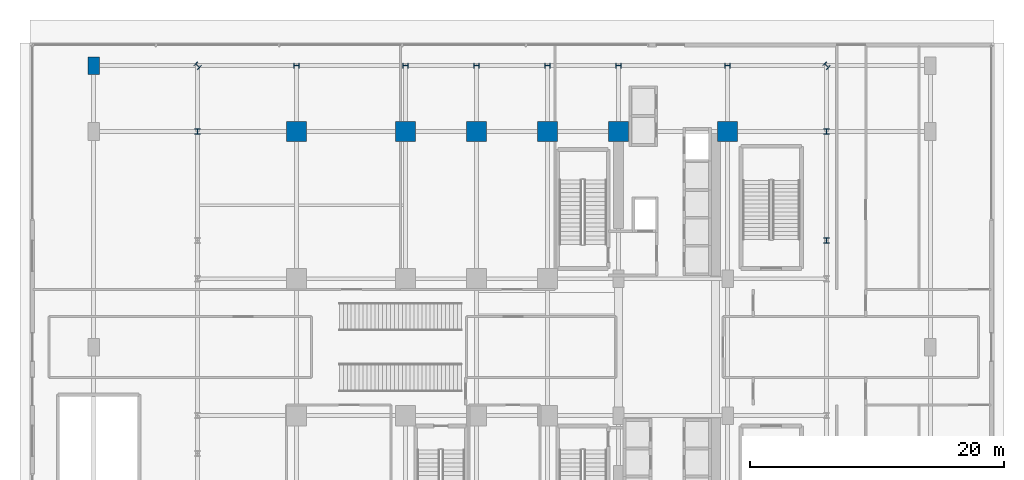
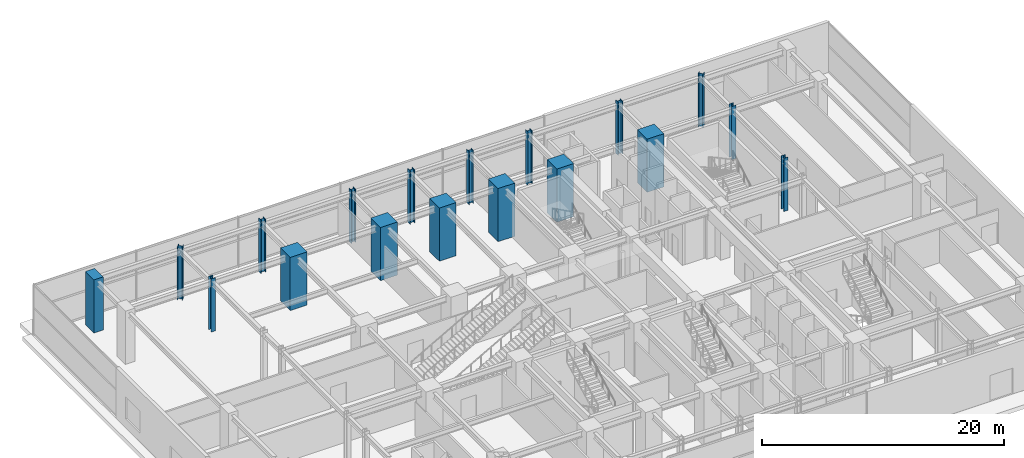
# One storey, part 2 of 29: 18 columns.
"""IFC4 building model written with IfcOpenShell, lengths in metres."""

import ifcopenshell
import ifcopenshell.guid

model = None  # the IFC model being written
_history = None  # IfcOwnerHistory: only IFC2X3 demands one
_inside = {}  # id of a spatial element -> (the spatial element, [elements in it])
_under = {}  # id of a project, library or spatial element -> (it, [spatial elements below it])
_declared = {}  # id of a project -> (the project, [libraries it declares])
_typed = {}  # id of a type object -> (the type object, [elements of that type])
_made_of = {}  # id of a material, layer set ... -> (it, [elements and type objects made of it])


def new_model(schema):
    """Start an empty IFC model of exactly this schema.

    Asked for "IFC4X3", IfcOpenShell would pick the latest addendum, in which some entities
    have other attributes; the version numbers below select the first issue.
    IFC2X3 requires an IfcOwnerHistory on every rooted entity: one is made here for all.
    """
    global model, _history
    if schema == "IFC4X3":
        model = ifcopenshell.file(schema_version=(4, 3, 0, 0))
    else:
        model = ifcopenshell.file(schema=schema)
    _inside.clear()
    _under.clear()
    _declared.clear()
    _typed.clear()
    _made_of.clear()
    _history = None
    if model.schema == "IFC2X3":
        org = make("IfcOrganization", Name="unknown")
        user = make(
            "IfcPersonAndOrganization",
            ThePerson=make("IfcPerson", FamilyName="unknown"),
            TheOrganization=org,
        )
        app = make(
            "IfcApplication",
            ApplicationDeveloper=org,
            Version="unknown",
            ApplicationFullName="unknown",
            ApplicationIdentifier="unknown",
        )
        _history = make(
            "IfcOwnerHistory",
            OwningUser=user,
            OwningApplication=app,
            ChangeAction="ADDED",
            CreationDate=0,
        )
    return model


def make(cls, **values):
    """One entity of the class cls with the attributes given. An attribute that is None is left unset."""
    return model.create_entity(
        cls, **{name: value for name, value in values.items() if value is not None}
    )


def rooted(cls, **values):
    """An entity with a GlobalId (a new one), such as an element, a storey or a relation."""
    return make(cls, GlobalId=ifcopenshell.guid.new(), OwnerHistory=_history, **values)


def si_unit(unit_type, name, prefix=None):
    """IfcSIUnit, for example si_unit("LENGTHUNIT", "METRE", prefix="MILLI")."""
    return make("IfcSIUnit", UnitType=unit_type, Prefix=prefix, Name=name)


def assignment(units):
    """IfcUnitAssignment: the units of a project."""
    return None if units is None else make("IfcUnitAssignment", Units=units)


def point(xyz):
    """IfcCartesianPoint."""
    return None if xyz is None else make("IfcCartesianPoint", Coordinates=xyz)


def direction(xyz):
    """IfcDirection."""
    return None if xyz is None else make("IfcDirection", DirectionRatios=xyz)


def frame(location, z_axis=None, x_axis=None):
    """IfcAxis2Placement3D, a coordinate frame: its origin and axes. An axis left out is left unset."""
    return make(
        "IfcAxis2Placement3D",
        Location=point(location),
        Axis=direction(z_axis),
        RefDirection=direction(x_axis),
    )


def frame_2d(location, x_axis=None):
    """IfcAxis2Placement2D, a coordinate frame in the plane: its origin and x axis."""
    return make(
        "IfcAxis2Placement2D", Location=point(location), RefDirection=direction(x_axis)
    )


def origin():
    """The frame at (0, 0, 0) with its axes left unset."""
    return frame((0.0, 0.0, 0.0))


def origin_2d():
    """The frame at (0, 0) in the plane with its x axis left unset."""
    return frame_2d((0.0, 0.0))


def place(relative_to, where):
    """IfcLocalPlacement: puts the frame where relative to a parent placement (None: the world)."""
    return make(
        "IfcLocalPlacement", PlacementRelTo=relative_to, RelativePlacement=where
    )


def context(
    kind, dimensions, precision=None, world=None, true_north=None, identifier=None
):
    """IfcGeometricRepresentationContext, for example the 3D "Model" context."""
    return make(
        "IfcGeometricRepresentationContext",
        ContextIdentifier=identifier,
        ContextType=kind,
        CoordinateSpaceDimension=dimensions,
        Precision=precision,
        WorldCoordinateSystem=world,
        TrueNorth=true_north,
    )


def subcontext(parent, identifier, kind, view, scale=None):
    """IfcGeometricRepresentationSubContext, for example "Body" below "Model"."""
    return make(
        "IfcGeometricRepresentationSubContext",
        ContextIdentifier=identifier,
        ContextType=kind,
        ParentContext=parent,
        TargetScale=scale,
        TargetView=view,
    )


def project(units=None, contexts=None):
    """IfcProject with its units and contexts."""
    return rooted(
        "IfcProject",
        Name="project",
        RepresentationContexts=contexts,
        UnitsInContext=assignment(units),
    )


def spatial(cls, under=None, at=None, **own):
    """A site, building, storey or space (cls), placed at a placement, below another one or the project."""
    s = rooted(cls, ObjectPlacement=at, **own)
    if under is not None:
        _under.setdefault(under.id(), (under, []))[1].append(s)
    return s


def profile(cls, at=None, kind="AREA", **sizes):
    """A parametric profile (cls). Its sizes go by their IFC names, for example OverallWidth=200.0."""
    return make(cls, ProfileType=kind, Position=at, **sizes)


def rectangle(**sizes):
    """IfcRectangleProfileDef."""
    return profile("IfcRectangleProfileDef", **sizes)


def i_section(**sizes):
    """IfcIShapeProfileDef."""
    return profile("IfcIShapeProfileDef", **sizes)


def extrude(swept, where, along, depth):
    """IfcExtrudedAreaSolid: the profile swept, set in the frame where, extruded along a direction by depth."""
    return make(
        "IfcExtrudedAreaSolid",
        SweptArea=swept,
        Position=where,
        ExtrudedDirection=direction(along),
        Depth=depth,
    )


def shape(context_of_items, identifier, shape_type, items):
    """IfcShapeRepresentation: the items that make up one representation, for example the "Body"."""
    return make(
        "IfcShapeRepresentation",
        ContextOfItems=context_of_items,
        RepresentationIdentifier=identifier,
        RepresentationType=shape_type,
        Items=items,
    )


def source(mapping_origin, context_of_items, identifier, shape_type, items):
    """IfcRepresentationMap: a shape defined once, which mapped items show again and again."""
    return make(
        "IfcRepresentationMap",
        MappingOrigin=mapping_origin,
        MappedRepresentation=shape(context_of_items, identifier, shape_type, items),
    )


def transform(
    local_origin,
    x_axis=None,
    y_axis=None,
    z_axis=None,
    scale=None,
    scale2=None,
    scale3=None,
    uniform=True,
):
    """IfcCartesianTransformationOperator3D, or its non-uniform kind. x_axis, y_axis, z_axis: its Axis1, 2, 3."""
    if uniform:
        return make(
            "IfcCartesianTransformationOperator3D",
            Axis1=direction(x_axis),
            Axis2=direction(y_axis),
            LocalOrigin=point(local_origin),
            Scale=scale,
            Axis3=direction(z_axis),
        )
    return make(
        "IfcCartesianTransformationOperator3DnonUniform",
        Axis1=direction(x_axis),
        Axis2=direction(y_axis),
        LocalOrigin=point(local_origin),
        Scale=scale,
        Axis3=direction(z_axis),
        Scale2=scale2,
        Scale3=scale3,
    )


def mapped(mapping_source, mapping_target):
    """IfcMappedItem: shows the shape of a source again, moved by a transform."""
    return make(
        "IfcMappedItem", MappingSource=mapping_source, MappingTarget=mapping_target
    )


def material(Name=None, Category=None):
    """IfcMaterial."""
    return make("IfcMaterial", Name=Name, Category=Category)


def material_profile(
    of_material, cross_section, Name=None, Category=None, Priority=None
):
    """IfcMaterialProfile: a cross section and its material."""
    return make(
        "IfcMaterialProfile",
        Name=Name,
        Material=of_material,
        Profile=cross_section,
        Priority=Priority,
        Category=Category,
    )


def profile_set(profiles, Name=None, composite=None):
    """IfcMaterialProfileSet."""
    return make(
        "IfcMaterialProfileSet",
        Name=Name,
        MaterialProfiles=profiles,
        CompositeProfile=composite,
    )


def made_of(thing, what):
    """Note that an element or type object is made of a material, layer set ...; save() writes the relation."""
    if what is not None:
        _made_of.setdefault(what.id(), (what, []))[1].append(thing)
    return thing


def type_object(cls, material=None, **own):
    """A type object (cls), such as IfcWallType, which elements share."""
    return made_of(rooted(cls, **own), material)


def element(
    cls,
    number,
    at=None,
    inside=None,
    cuts=None,
    type_object=None,
    material=None,
    context=None,
    identifier="Body",
    shape_type=None,
    held_by="IfcProductDefinitionShape",
    body=None,
    shapes=None,
    **own,
):
    """One element of the class cls, such as IfcWall. Its Tag is "e" and its number.

    at: its placement. inside: the storey or other place that contains it. cuts: it is an
    opening in that element (IfcRelVoidsElement). A single representation is given by context,
    identifier, shape_type and body (its items); several are given by shapes. held_by: the class
    of the entity that holds the representations. save() writes the other relations.
    """
    e = rooted(cls, Tag="e%d" % number, ObjectPlacement=at, **own)
    if body is not None:
        shapes = [shape(context, identifier, shape_type, body)]
    if shapes is not None:
        e.Representation = make(held_by, Representations=shapes)
    if inside is not None:
        _inside.setdefault(inside.id(), (inside, []))[1].append(e)
    if cuts is not None:
        rooted(
            "IfcRelVoidsElement", RelatingBuildingElement=cuts, RelatedOpeningElement=e
        )
    if type_object is not None:
        _typed.setdefault(type_object.id(), (type_object, []))[1].append(e)
    return made_of(e, material)


def aggregate(whole, parts):
    """IfcRelAggregates: a whole, such as a stair, and the parts it consists of."""
    return rooted("IfcRelAggregates", RelatingObject=whole, RelatedObjects=parts)


def save(model, path):
    """Write the relations noted so far, then the file.

    IfcRelAggregates (storeys below a building ...), IfcRelContainedInSpatialStructure (elements
    in a storey), IfcRelDefinesByType, IfcRelAssociatesMaterial and IfcRelDeclares: one each for
    every whole, place, type object, material and project.
    """
    for whole, parts in _under.values():
        aggregate(whole, parts)
    for where, things in _inside.values():
        rooted(
            "IfcRelContainedInSpatialStructure",
            RelatedElements=things,
            RelatingStructure=where,
        )
    for kind, things in _typed.values():
        rooted("IfcRelDefinesByType", RelatedObjects=things, RelatingType=kind)
    for what, things in _made_of.values():
        rooted("IfcRelAssociatesMaterial", RelatedObjects=things, RelatingMaterial=what)
    for by, libraries in _declared.values():
        rooted("IfcRelDeclares", RelatingContext=by, RelatedDefinitions=libraries)
    model.write(path)


model = new_model("IFC4")

# Units and contexts
model_context = context("Model", 3, precision=1e-05, world=origin(), true_north=direction((0.0, 1.0)))
body_context = subcontext(model_context, "Body", "Model", "MODEL_VIEW")
ifc_project = project(units=[si_unit("LENGTHUNIT", "METRE"), si_unit("AREAUNIT", "SQUARE_METRE"), si_unit("VOLUMEUNIT", "CUBIC_METRE"), si_unit("PLANEANGLEUNIT", "RADIAN"), si_unit("MASSUNIT", "GRAM", prefix="KILO")], contexts=[model_context])

# Site, building, storey
site_placement = place(None, origin())
site = spatial("IfcSite", under=ifc_project, at=site_placement, CompositionType="ELEMENT")
building_placement = place(site_placement, origin())
building = spatial("IfcBuilding", under=site, at=building_placement, Name="Nahalor Promenade Grand Hotel", CompositionType="ELEMENT")
storey_placement = place(building_placement, origin())
storey = spatial("IfcBuildingStorey", under=building, at=storey_placement, Name="L00", CompositionType="ELEMENT", Elevation=0.0)

# Columns
ifc_material_1 = material(Name="Concrete B-70 (C60/75)", Category="concrete")
ifc_material_profile_1 = material_profile(ifc_material_1, rectangle(XDim=1.6, YDim=1.6, at=origin_2d()), Name="RC 1600x1600")
ifc_profile_set_1 = profile_set([ifc_material_profile_1], Name="Concrete B-70 (C60/75)")
column_type_1 = type_object("IfcColumnType", Name="Col-RC-1600", PredefinedType="COLUMN", material=ifc_profile_set_1)
shared_shape_1 = source(origin(), body_context, "Body", "SweptSolid", [
    extrude(rectangle(XDim=1.6, YDim=1.6, at=origin_2d()), origin(), (0.0, 0.0, 1.0), 5.35498046875),
])
for number, where, z_axis, x_axis, name in (
    (1, (-17.0, 17.0, 0.0), (0.0, 0.0, 1.0), (1.0, 0.0, 0.0), "COL-L00-I03"),
    (2, (-8.39990234375, 17.0, 0.0), (0.0, 0.0, 1.0), (1.0, 0.0, 0.0), "COL-L00-I13"),
    (3, (-2.800048828125, 17.0, 0.0), (0.0, 0.0, 1.0), (1.0, 0.0, 0.0), "COL-L00-I23"),
    (4, (2.800048828125, 17.0, 0.0), (0.0, 0.0, 1.0), (1.0, 0.0, 0.0), "COL-L00-I33"),
    (5, (8.39990234375, 17.0, 0.0), (0.0, 0.0, 1.0), (1.0, 0.0, 0.0), "COL-L00-I43"),
    (6, (17.0, 17.0, 0.0), (0.0, 0.0, 1.0), (1.0, 0.0, 0.0), "COL-L00-I53"),
):
    element("IfcColumn", number, at=place(storey_placement, frame(where, z_axis=z_axis, x_axis=x_axis)), inside=storey, type_object=column_type_1, Name=name, PredefinedType="COLUMN", context=body_context, shape_type="MappedRepresentation", body=[
        mapped(shared_shape_1, transform((0.0, 0.0, 0.0), scale=1.0)),
    ])
ifc_material_2 = material(Name="Concrete B-60 (C50/60)", Category="concrete")
ifc_material_profile_2 = material_profile(ifc_material_2, rectangle(XDim=0.9, YDim=1.4, at=origin_2d()), Name="RC 900x1400")
ifc_profile_set_2 = profile_set([ifc_material_profile_2], Name="Concrete B-60 (C50/60)")
column_type_2 = type_object("IfcColumnType", Name="Col-Pilaster-1400", PredefinedType="PILASTER", material=ifc_profile_set_2)
shared_shape_2 = source(origin(), body_context, "Body", "SweptSolid", [
    extrude(rectangle(XDim=0.9, YDim=1.4, at=origin_2d()), origin(), (0.0, 0.0, 1.0), 5.35498046875),
])
column_placement = place(storey_placement, frame((-33.0, 22.199951171875, 0.0), z_axis=(0.0, 0.0, 1.0), x_axis=(1.0, 0.0, 0.0)))
element("IfcColumn", 7, at=column_placement, inside=storey, type_object=column_type_2, Name="COL-L00-PC-W4", PredefinedType="PILASTER", context=body_context, shape_type="MappedRepresentation", body=[
    mapped(shared_shape_2, transform((0.0, 0.0, 0.0), scale=1.0)),
])
ifc_material_3 = material(Name="Steel S355J2", Category="steel")
ifc_material_profile_3 = material_profile(ifc_material_3, i_section(OverallWidth=0.416, OverallDepth=0.446, WebThickness=0.025, FlangeThickness=0.04, at=origin_2d()), Name="HD 400x509")
ifc_profile_set_3 = profile_set([ifc_material_profile_3], Name="Steel S355J2")
column_type_3 = type_object("IfcColumnType", Name="Col-Steel-HD509", PredefinedType="COLUMN", material=ifc_profile_set_3)
shared_shape_3 = source(origin(), body_context, "Body", "SweptSolid", [
    extrude(i_section(OverallWidth=0.416, OverallDepth=0.446, WebThickness=0.025, FlangeThickness=0.04, at=origin_2d()), origin(), (0.0, 0.0, 1.0), 5.35498046875),
])
for number, where, z_axis, x_axis, name in (
    (8, (24.800048828125, 8.39990234375, 0.0), (0.0, 0.0, 1.0), (1.0, 0.0, 0.0), "COL-L00-PW-E4"),
    (9, (-24.800048828125, 17.0, 0.0), (0.0, 0.0, 1.0), (1.0, 0.0, 0.0), "COL-L00-PW-W5"),
    (10, (24.800048828125, 17.0, 0.0), (0.0, 0.0, 1.0), (1.0, 0.0, 0.0), "COL-L00-PW-E5"),
    (11, (-17.0, 22.199951171875, 0.0), (0.0, 0.0, 1.0), (0.0, 1.0, 0.0), "COL-L00-PN-N0"),
    (12, (-8.39990234375, 22.199951171875, 0.0), (0.0, 0.0, 1.0), (0.0, 1.0, 0.0), "COL-L00-PN-N1"),
    (13, (-2.800048828125, 22.199951171875, 0.0), (0.0, 0.0, 1.0), (0.0, 1.0, 0.0), "COL-L00-PN-N2"),
    (14, (2.800048828125, 22.199951171875, 0.0), (0.0, 0.0, 1.0), (0.0, 1.0, 0.0), "COL-L00-PN-N3"),
    (15, (8.39990234375, 22.199951171875, 0.0), (0.0, 0.0, 1.0), (0.0, 1.0, 0.0), "COL-L00-PN-N4"),
    (16, (17.0, 22.199951171875, 0.0), (0.0, 0.0, 1.0), (0.0, 1.0, 0.0), "COL-L00-PN-N5"),
    (17, (-24.800048828125, 22.199951171875, 0.0), (0.0, 0.0, 1.0), (0.707106781187, 0.707106781187, 0.0), "COL-L00-CRN-NW"),
    (18, (24.800048828125, 22.199951171875, 0.0), (0.0, 0.0, 1.0), (0.707106781187, 0.707106781187, 0.0), "COL-L00-CRN-NE"),
):
    element("IfcColumn", number, at=place(storey_placement, frame(where, z_axis=z_axis, x_axis=x_axis)), inside=storey, type_object=column_type_3, Name=name, PredefinedType="COLUMN", context=body_context, shape_type="MappedRepresentation", body=[
        mapped(shared_shape_3, transform((0.0, 0.0, 0.0), scale=1.0)),
    ])

save(model, "model.ifc")
